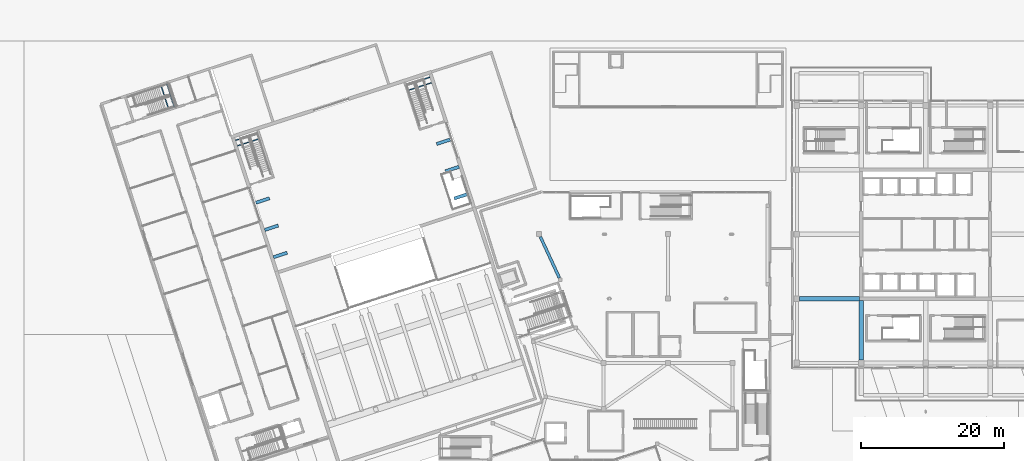
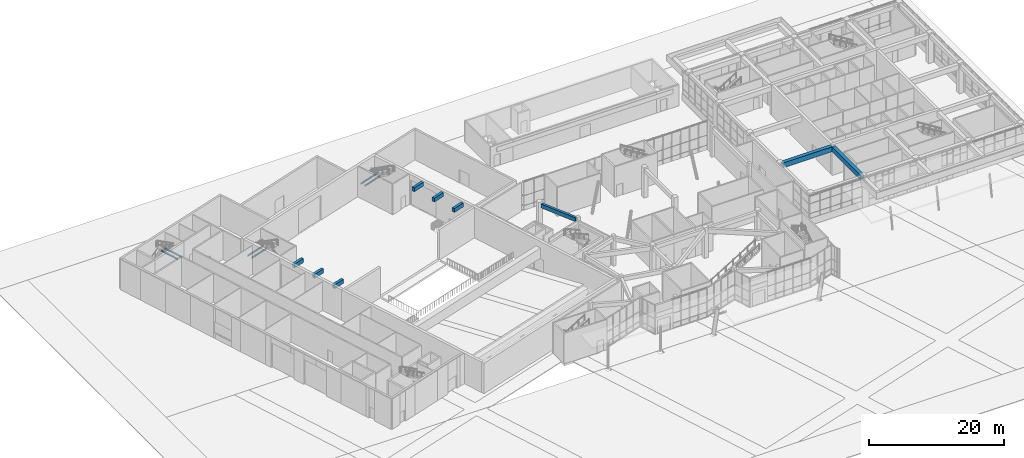
# One storey, part 19 of 72: 15 beams.
"""IFC4 building model written with IfcOpenShell, lengths in metres."""

from ifc_helpers import new_model, si_unit, direction, frame, origin, origin_2d, place, context, subcontext, project, spatial, rectangle, i_section, extrude, material, material_profile, profile_set, type_object, element, save


model = new_model("IFC4")

# Units and contexts
model_context = context("Model", 3, precision=1e-05, world=origin(), true_north=direction((0.0, 1.0)))
body_context = subcontext(model_context, "Body", "Model", "MODEL_VIEW")
ifc_project = project(units=[si_unit("LENGTHUNIT", "METRE"), si_unit("AREAUNIT", "SQUARE_METRE"), si_unit("VOLUMEUNIT", "CUBIC_METRE"), si_unit("PLANEANGLEUNIT", "RADIAN"), si_unit("MASSUNIT", "GRAM", prefix="KILO")], contexts=[model_context])

# Site, building, storey
site_placement = place(None, origin())
site = spatial("IfcSite", under=ifc_project, at=site_placement, CompositionType="ELEMENT")
building_placement = place(site_placement, origin())
building = spatial("IfcBuilding", under=site, at=building_placement, Name="Tuart Plaza Theatre", CompositionType="ELEMENT")
storey_placement = place(building_placement, origin())
storey = spatial("IfcBuildingStorey", under=building, at=storey_placement, Name="L00", CompositionType="ELEMENT", Elevation=0.0)

# Beams
ifc_material_1 = material(Name="Steel Grade 300", Category="steel")
ifc_material_profile_1 = material_profile(ifc_material_1, i_section(OverallWidth=0.14599609375, OverallDepth=0.256103515625, WebThickness=0.00634765625, FlangeThickness=0.010986328125, FilletRadius=0.0087890625, at=origin_2d()), Name="250UB37.3")
ifc_profile_set_1 = profile_set([ifc_material_profile_1], Name="Steel Grade 300")
beam_type_1 = type_object("IfcBeamType", Name="BEAM 250UB37.3", PredefinedType="BEAM", material=ifc_profile_set_1)
for number, where, z_axis, x_axis, name in (
    (1, (26.219482421875, 91.525390625, 2.422119140625), (-0.309045481752, 0.951047259714, 0.0), (-0.951047259714, -0.309045481752, 0.0), "SB17"),
    (2, (26.99462890625, 91.777099609375, 2.422119140625), (-0.309045481752, 0.951047259714, 0.0), (-0.951047259714, -0.309045481752, 0.0), "SB18"),
):
    element("IfcBeam", number, at=place(storey_placement, frame(where, z_axis=z_axis, x_axis=x_axis)), inside=storey, type_object=beam_type_1, Name=name, PredefinedType="BEAM", context=body_context, shape_type="SweptSolid", body=[
        extrude(i_section(OverallWidth=0.14599609375, OverallDepth=0.256103515625, WebThickness=0.00634765625, FlangeThickness=0.010986328125, FilletRadius=0.0087890625, at=origin_2d()), origin(), (0.0, 0.0, 1.0), 3.400146484375),
    ])
for number, where, z_axis, x_axis, name in (
    (3, (35.57666015625, 87.118408203125, 2.422119140625), (0.951049715063, 0.309037925631, 0.0), (-0.309037925631, 0.951049715063, 0.0), "SB29"),
    (4, (35.827392578125, 86.3466796875, 2.422119140625), (0.951049715063, 0.309037925631, 0.0), (-0.309037925631, 0.951049715063, 0.0), "SB30"),
):
    element("IfcBeam", number, at=place(storey_placement, frame(where, z_axis=z_axis, x_axis=x_axis)), inside=storey, type_object=beam_type_1, Name=name, PredefinedType="BEAM", context=body_context, shape_type="SweptSolid", body=[
        extrude(i_section(OverallWidth=0.14599609375, OverallDepth=0.256103515625, WebThickness=0.00634765625, FlangeThickness=0.010986328125, FilletRadius=0.0087890625, at=origin_2d()), origin(), (0.0, 0.0, 1.0), 3.3251953125),
    ])
beam_1_placement = place(storey_placement, frame((59.424560546875, 94.866943359375, 2.422119140625), z_axis=(0.951038199246, 0.309073362772, 0.0), x_axis=(-0.309073362772, 0.951038199246, 0.0)))
element("IfcBeam", 5, at=beam_1_placement, inside=storey, type_object=beam_type_1, Name="SB41", PredefinedType="BEAM", context=body_context, shape_type="SweptSolid", body=[
    extrude(i_section(OverallWidth=0.14599609375, OverallDepth=0.256103515625, WebThickness=0.00634765625, FlangeThickness=0.010986328125, FilletRadius=0.0087890625, at=origin_2d()), origin(), (0.0, 0.0, 1.0), 3.474853515625),
])
beam_2_placement = place(storey_placement, frame((59.67529296875, 94.09521484375, 2.422119140625), z_axis=(0.951044910246, 0.30905271184, 0.0), x_axis=(-0.30905271184, 0.951044910246, 0.0)))
element("IfcBeam", 6, at=beam_2_placement, inside=storey, type_object=beam_type_1, Name="SB42", PredefinedType="BEAM", context=body_context, shape_type="SweptSolid", body=[
    extrude(i_section(OverallWidth=0.14599609375, OverallDepth=0.256103515625, WebThickness=0.00634765625, FlangeThickness=0.010986328125, FilletRadius=0.0087890625, at=origin_2d()), origin(), (0.0, 0.0, 1.0), 3.47509765625),
])
ifc_material_2 = material(Name="Concrete N40 (40 MPa)", Category="concrete")
ifc_material_profile_2 = material_profile(ifc_material_2, rectangle(XDim=0.39990234375, YDim=0.699951171875, at=origin_2d()), Name="BEAM 400x700 Concrete N40 (40 MPa)")
ifc_profile_set_2 = profile_set([ifc_material_profile_2], Name="Concrete N40 (40 MPa)")
beam_type_2 = type_object("IfcBeamType", Name="BEAM 400x700 Concrete N40 (40 MPa)", PredefinedType="BEAM", material=ifc_profile_set_2)
beam_3_placement = place(storey_placement, frame((78.161865234375, 73.64990234375, 4.85009765625), z_axis=(0.419496397919, -0.907757000597, 0.0), x_axis=(0.907757000597, 0.419496397919, 0.0)))
element("IfcBeam", 7, at=beam_3_placement, inside=storey, type_object=beam_type_2, Name="RB437", PredefinedType="BEAM", context=body_context, shape_type="SweptSolid", body=[
    extrude(rectangle(XDim=0.39990234375, YDim=0.699951171875, at=origin_2d()), origin(), (0.0, 0.0, 1.0), 6.3232421875),
])
ifc_material_3 = material(Name="Concrete N40 (40 MPa)", Category="concrete")
ifc_material_profile_3 = material_profile(ifc_material_3, rectangle(XDim=0.449951171875, YDim=0.699951171875, at=origin_2d()), Name="BEAM 450x700 Concrete N40 (40 MPa)")
ifc_profile_set_3 = profile_set([ifc_material_profile_3], Name="Concrete N40 (40 MPa)")
beam_type_3 = type_object("IfcBeamType", Name="BEAM 450x700 Concrete N40 (40 MPa)", PredefinedType="BEAM", material=ifc_profile_set_3)
for number, where, z_axis, x_axis, name in (
    (8, (40.881591796875, 70.79150390625, 4.949951171875), (0.951072636193, 0.308967378027, 0.0), (-0.308967378027, 0.951072636193, 0.0), "RB35"),
    (9, (39.6455078125, 74.595703125, 4.949951171875), (0.951072636193, 0.308967378027, 0.0), (-0.308967378027, 0.951072636193, 0.0), "RB36"),
):
    element("IfcBeam", number, at=place(storey_placement, frame(where, z_axis=z_axis, x_axis=x_axis)), inside=storey, type_object=beam_type_3, Name=name, PredefinedType="BEAM", context=body_context, shape_type="SweptSolid", body=[
        extrude(rectangle(XDim=0.449951171875, YDim=0.699951171875, at=origin_2d()), origin(), (0.0, 0.0, 1.0), 2.0),
    ])
beam_4_placement = place(storey_placement, frame((38.409423828125, 78.39990234375, 4.949951171875), z_axis=(0.951084287378, 0.308931510697, 0.0), x_axis=(-0.308931510697, 0.951084287378, 0.0)))
element("IfcBeam", 10, at=beam_4_placement, inside=storey, type_object=beam_type_3, Name="RB37", PredefinedType="BEAM", context=body_context, shape_type="SweptSolid", body=[
    extrude(rectangle(XDim=0.449951171875, YDim=0.699951171875, at=origin_2d()), origin(), (0.0, 0.0, 1.0), 2.000244140625),
])
for number, where, z_axis, x_axis, name in (
    (11, (68.034423828125, 79.61376953125, 4.949951171875), (-0.951072636193, -0.308967378027, 0.0), (0.308967378027, -0.951072636193, 0.0), "RB38"),
    (12, (66.79833984375, 83.418212890625, 4.949951171875), (-0.951036759863, -0.309077791808, 0.0), (0.309077791808, -0.951036759863, 0.0), "RB39"),
    (13, (65.562255859375, 87.222412109375, 4.949951171875), (-0.951036759863, -0.309077791808, 0.0), (0.309077791808, -0.951036759863, 0.0), "RB40"),
):
    element("IfcBeam", number, at=place(storey_placement, frame(where, z_axis=z_axis, x_axis=x_axis)), inside=storey, type_object=beam_type_3, Name=name, PredefinedType="BEAM", context=body_context, shape_type="SweptSolid", body=[
        extrude(rectangle(XDim=0.449951171875, YDim=0.699951171875, at=origin_2d()), origin(), (0.0, 0.0, 1.0), 2.0),
    ])
ifc_material_4 = material(Name="Concrete N40 (40 MPa)", Category="concrete")
ifc_material_profile_4 = material_profile(ifc_material_4, rectangle(XDim=0.60009765625, YDim=0.89990234375, at=origin_2d()), Name="BEAM 600x900 Concrete N40 (40 MPa)")
ifc_profile_set_4 = profile_set([ifc_material_profile_4], Name="Concrete N40 (40 MPa)")
beam_type_4 = type_object("IfcBeamType", Name="BEAM 600x900 Concrete N40 (40 MPa)", PredefinedType="BEAM", material=ifc_profile_set_4)
for number, where, z_axis, x_axis, name in (
    (14, (114.39990234375, 65.0, 4.800048828125), (1.0, 0.0, 0.0), (0.0, 1.0, 0.0), "RB125"),
    (15, (123.0, 56.39990234375, 4.800048828125), (0.0, 1.0, 0.0), (-1.0, 0.0, 0.0), "RB135"),
):
    element("IfcBeam", number, at=place(storey_placement, frame(where, z_axis=z_axis, x_axis=x_axis)), inside=storey, type_object=beam_type_4, Name=name, PredefinedType="BEAM", context=body_context, shape_type="SweptSolid", body=[
        extrude(rectangle(XDim=0.60009765625, YDim=0.89990234375, at=origin_2d()), origin(), (0.0, 0.0, 1.0), 8.375),
    ])

save(model, "model.ifc")
